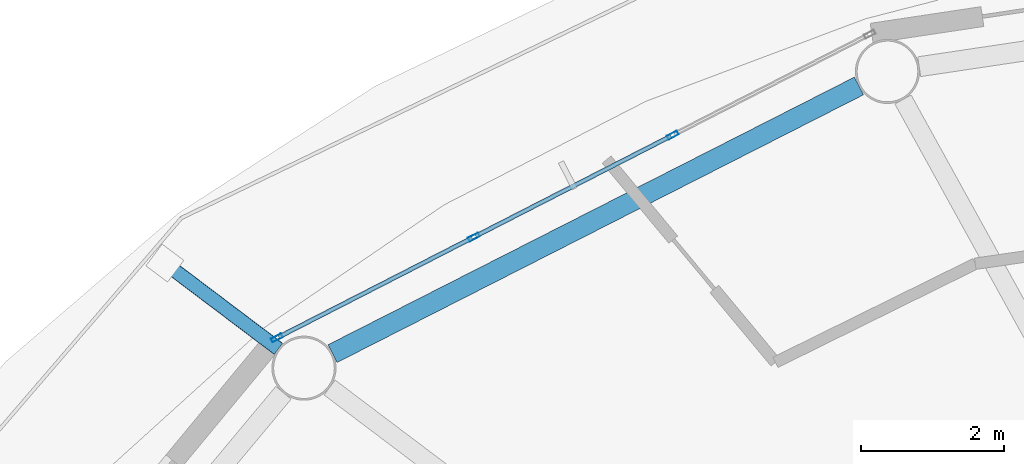
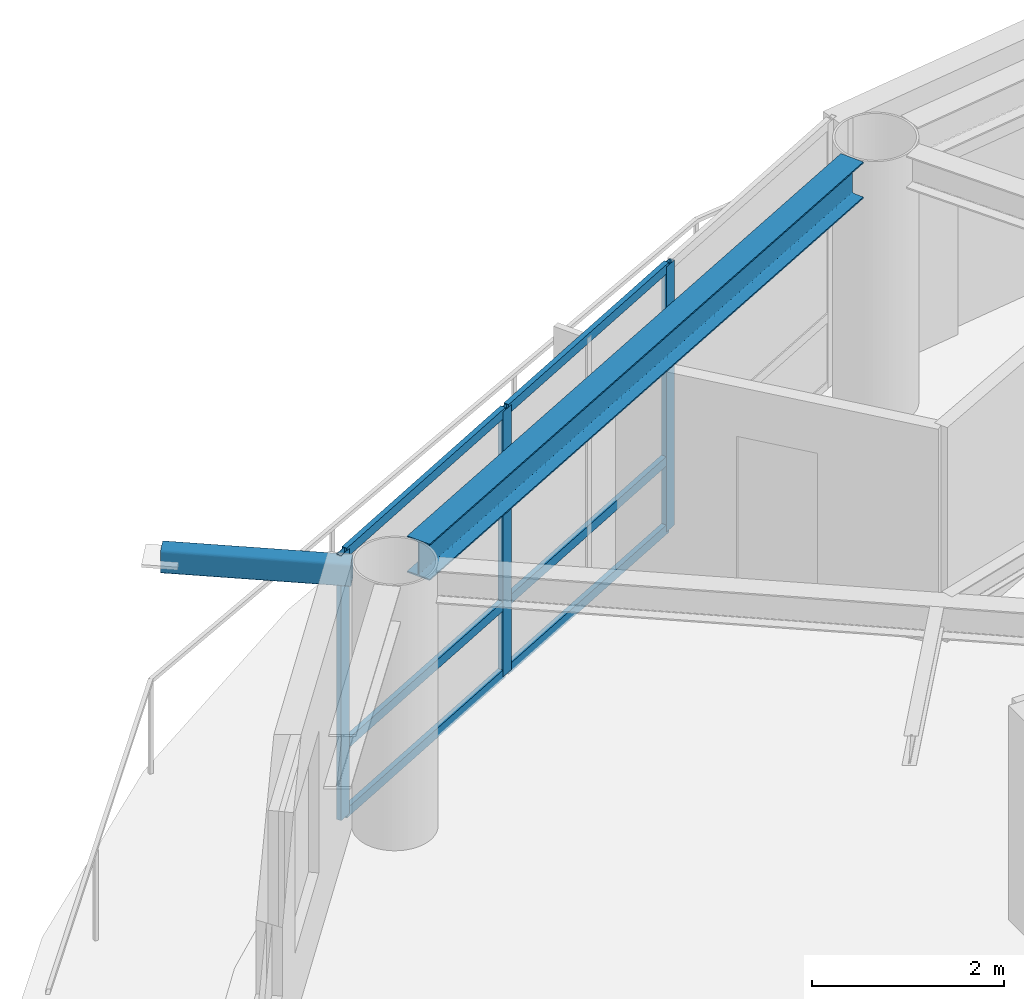
# One storey, part 8 of 22: 10 members, 1 beam, 1 element without a shape of its own.
"""IFC4 building model written with IfcOpenShell, lengths in metres."""

from ifc_helpers import new_model, si_unit, direction, frame, origin, origin_2d, place, context, subcontext, project, spatial, hollow_rectangle, i_section, extrude, material, layer, layer_set, material_profile, profile_set, type_object, element, aggregate, save


model = new_model("IFC4")

# Units and contexts
model_context = context("Model", 3, precision=1e-05, world=origin(), true_north=direction((0.0, 1.0)))
body_context = subcontext(model_context, "Body", "Model", "MODEL_VIEW")
ifc_project = project(units=[si_unit("LENGTHUNIT", "METRE"), si_unit("AREAUNIT", "SQUARE_METRE"), si_unit("VOLUMEUNIT", "CUBIC_METRE"), si_unit("PLANEANGLEUNIT", "RADIAN"), si_unit("MASSUNIT", "GRAM", prefix="KILO")], contexts=[model_context])

# Site, building, storey
site_placement = place(None, origin())
site = spatial("IfcSite", under=ifc_project, at=site_placement, CompositionType="ELEMENT")
building_placement = place(site_placement, origin())
building = spatial("IfcBuilding", under=site, at=building_placement, Name="Sarneth Arch Tower", CompositionType="ELEMENT")
storey_placement = place(building_placement, frame((0.0, 0.0, 298.199951171875)))
storey = spatial("IfcBuildingStorey", under=building, at=storey_placement, Name="L77", CompositionType="ELEMENT", Elevation=298.199951171875)

# Beam
ifc_material_1 = material(Name="Steel S355", Category="steel")
ifc_material_profile_1 = material_profile(ifc_material_1, i_section(OverallWidth=0.280029296875, OverallDepth=0.462890625, WebThickness=0.0107421875, FlangeThickness=0.017333984375, FilletRadius=0.01806640625, at=origin_2d()), Name="W460x113")
ifc_profile_set_1 = profile_set([ifc_material_profile_1], Name="Steel S355")
beam_type = type_object("IfcBeamType", Name="BM-RAD-460A", PredefinedType="BEAM", material=ifc_profile_set_1)
beam_placement = place(storey_placement, frame((37.80810546875, 59.534423828125, 3.138427734375), z_axis=(-0.891376248079, -0.453264144138, 0.0), x_axis=(0.453264144138, -0.891376248079, 0.0)))
element("IfcBeam", 1, at=beam_placement, inside=storey, type_object=beam_type, Name="L77 Perimeter spandrel beam 06", PredefinedType="BEAM", context=body_context, shape_type="SweptSolid", body=[
    extrude(i_section(OverallWidth=0.280029296875, OverallDepth=0.462890625, WebThickness=0.0107421875, FlangeThickness=0.017333984375, FilletRadius=0.01806640625, at=origin_2d()), origin(), (0.0, 0.0, 1.0), 8.281982421875),
])

# Curtain wall, members
ifc_material_2 = material(Name="Anodised aluminium Type AA25 and solar-control low-e laminated IGU", Category="aluminium")
ifc_layer = layer(ifc_material_2, 0.179931640625)
ifc_layer_set = layer_set([ifc_layer], Name="Anodised aluminium Type AA25 and solar-control low-e laminated IGU")
curtain_wall_type = type_object("IfcCurtainWallType", Name="CW-RES-HIGH", PredefinedType="NOTDEFINED", material=ifc_layer_set)
curtain_wall_placement = place(storey_placement, origin())
curtain_wall = element("IfcCurtainWall", 2, at=curtain_wall_placement, inside=storey, type_object=curtain_wall_type, Name="L77 Unitised curtain wall facet 06", PredefinedType="NOTDEFINED")
ifc_material_3 = material(Name="Anodised Aluminium 6063-T6", Category="aluminium")
ifc_material_profile_2 = material_profile(ifc_material_3, hollow_rectangle(XDim=0.06005859375, YDim=0.159912109375, WallThickness=0.00390625, at=origin_2d()), Name="AL-MULL-160x60x4")
ifc_profile_set_2 = profile_set([ifc_material_profile_2], Name="Anodised Aluminium 6063-T6")
member_type_1 = type_object("IfcMemberType", Name="CW-MULLION", PredefinedType="MULLION", material=ifc_profile_set_2)
member_1_placement = place(storey_placement, frame((35.197509765625, 58.844970703125, 0.0), z_axis=(0.0, 0.0, 1.0), x_axis=(0.455941901753, -0.890009540525, 0.0)))
member_1 = element("IfcMember", 3, at=member_1_placement, type_object=member_type_1, Name="CW-SYS-6 mullion 2", PredefinedType="MULLION", context=body_context, shape_type="SweptSolid", body=[
    extrude(hollow_rectangle(XDim=0.06005859375, YDim=0.159912109375, WallThickness=0.00390625, at=origin_2d()), origin(), (0.0, 0.0, 1.0), 3.3701171875),
])
member_2_placement = place(storey_placement, frame((32.407470703125, 57.415771484375, 0.0), z_axis=(0.0, 0.0, 1.0), x_axis=(0.455941901753, -0.890009540525, 0.0)))
member_2 = element("IfcMember", 4, at=member_2_placement, type_object=member_type_1, Name="CW-SYS-6 mullion 3", PredefinedType="MULLION", context=body_context, shape_type="SweptSolid", body=[
    extrude(hollow_rectangle(XDim=0.06005859375, YDim=0.159912109375, WallThickness=0.00390625, at=origin_2d()), origin(), (0.0, 0.0, 1.0), 3.3701171875),
])
member_3_placement = place(storey_placement, frame((29.644287109375, 56.000244140625, 0.0), z_axis=(0.0, 0.0, 1.0), x_axis=(0.455941901753, -0.890009540525, 0.0)))
member_3 = element("IfcMember", 5, at=member_3_placement, type_object=member_type_1, Name="CW-SYS-6 mullion 4", PredefinedType="MULLION", context=body_context, shape_type="SweptSolid", body=[
    extrude(hollow_rectangle(XDim=0.06005859375, YDim=0.159912109375, WallThickness=0.00390625, at=origin_2d()), origin(), (0.0, 0.0, 1.0), 3.3701171875),
])
ifc_material_4 = material(Name="Anodised Aluminium 6063-T6", Category="aluminium")
ifc_material_profile_3 = material_profile(ifc_material_4, hollow_rectangle(XDim=0.06005859375, YDim=0.1201171875, WallThickness=0.00390625, at=origin_2d()), Name="AL-TRAN-120x60x4")
ifc_profile_set_3 = profile_set([ifc_material_profile_3], Name="Anodised Aluminium 6063-T6")
member_type_2 = type_object("IfcMemberType", Name="CW-TRANSOM", PredefinedType="USERDEFINED", material=ifc_profile_set_3)
member_4_placement = place(storey_placement, frame((35.170654296875, 58.831298828125, 0.030029296875), z_axis=(-0.890017432405, -0.455926496286, 0.0), x_axis=(0.455926496286, -0.890017432405, 0.0)))
member_4 = element("IfcMember", 6, at=member_4_placement, type_object=member_type_2, Name="CW-SYS-6 transom 2.1", ObjectType="TRANSOM", PredefinedType="USERDEFINED", context=body_context, shape_type="SweptSolid", body=[
    extrude(hollow_rectangle(XDim=0.06005859375, YDim=0.1201171875, WallThickness=0.00390625, at=origin_2d()), origin(), (0.0, 0.0, 1.0), 3.07470703125),
])
member_5_placement = place(storey_placement, frame((35.170654296875, 58.831298828125, 0.900146484375), z_axis=(-0.890017432405, -0.455926496286, 0.0), x_axis=(0.455926496286, -0.890017432405, 0.0)))
member_5 = element("IfcMember", 7, at=member_5_placement, type_object=member_type_2, Name="CW-SYS-6 transom 2.2", ObjectType="TRANSOM", PredefinedType="USERDEFINED", context=body_context, shape_type="SweptSolid", body=[
    extrude(hollow_rectangle(XDim=0.06005859375, YDim=0.1201171875, WallThickness=0.00390625, at=origin_2d()), origin(), (0.0, 0.0, 1.0), 3.07470703125),
])
member_6_placement = place(storey_placement, frame((35.170654296875, 58.831298828125, 3.340087890625), z_axis=(-0.890017432405, -0.455926496286, 0.0), x_axis=(0.455926496286, -0.890017432405, 0.0)))
member_6 = element("IfcMember", 8, at=member_6_placement, type_object=member_type_2, Name="CW-SYS-6 transom 2.3", ObjectType="TRANSOM", PredefinedType="USERDEFINED", context=body_context, shape_type="SweptSolid", body=[
    extrude(hollow_rectangle(XDim=0.06005859375, YDim=0.1201171875, WallThickness=0.00390625, at=origin_2d()), origin(), (0.0, 0.0, 1.0), 3.07470703125),
])
member_7_placement = place(storey_placement, frame((32.380859375, 57.402099609375, 0.030029296875), z_axis=(-0.890022732705, -0.455916149384, 0.0), x_axis=(0.455916149384, -0.890022732705, 0.0)))
member_7 = element("IfcMember", 9, at=member_7_placement, type_object=member_type_2, Name="CW-SYS-6 transom 3.1", ObjectType="TRANSOM", PredefinedType="USERDEFINED", context=body_context, shape_type="SweptSolid", body=[
    extrude(hollow_rectangle(XDim=0.06005859375, YDim=0.1201171875, WallThickness=0.00390625, at=origin_2d()), origin(), (0.0, 0.0, 1.0), 3.044921875),
])
member_8_placement = place(storey_placement, frame((32.380859375, 57.402099609375, 0.900146484375), z_axis=(-0.890022732705, -0.455916149384, 0.0), x_axis=(0.455916149384, -0.890022732705, 0.0)))
member_8 = element("IfcMember", 10, at=member_8_placement, type_object=member_type_2, Name="CW-SYS-6 transom 3.2", ObjectType="TRANSOM", PredefinedType="USERDEFINED", context=body_context, shape_type="SweptSolid", body=[
    extrude(hollow_rectangle(XDim=0.06005859375, YDim=0.1201171875, WallThickness=0.00390625, at=origin_2d()), origin(), (0.0, 0.0, 1.0), 3.044921875),
])
member_9_placement = place(storey_placement, frame((32.380859375, 57.402099609375, 3.340087890625), z_axis=(-0.890022732705, -0.455916149384, 0.0), x_axis=(0.455916149384, -0.890022732705, 0.0)))
member_9 = element("IfcMember", 11, at=member_9_placement, type_object=member_type_2, Name="CW-SYS-6 transom 3.3", ObjectType="TRANSOM", PredefinedType="USERDEFINED", context=body_context, shape_type="SweptSolid", body=[
    extrude(hollow_rectangle(XDim=0.06005859375, YDim=0.1201171875, WallThickness=0.00390625, at=origin_2d()), origin(), (0.0, 0.0, 1.0), 3.044921875),
])
aggregate(curtain_wall, [member_1, member_2, member_3, member_4, member_5, member_6, member_7, member_8, member_9])

# Member
ifc_material_5 = material(Name="Steel S355", Category="steel")
ifc_material_profile_4 = material_profile(ifc_material_5, hollow_rectangle(XDim=0.199951171875, YDim=0.300048828125, WallThickness=0.012451171875, InnerFilletRadius=0.018798828125, OuterFilletRadius=0.03125, at=origin_2d()), Name="RHS300x200x12.5")
ifc_profile_set_4 = profile_set([ifc_material_profile_4], Name="Steel S355")
member_type_3 = type_object("IfcMemberType", Name="MEM-CANT-STRUT", PredefinedType="STRUT", material=ifc_profile_set_4)
member_10_placement = place(storey_placement, frame((29.665771484375, 55.84765625, 3.2099609375), z_axis=(-0.798013752701, 0.602639237438, 0.0), x_axis=(-0.602639237438, -0.798013752701, 0.0)))
element("IfcMember", 12, at=member_10_placement, inside=storey, type_object=member_type_3, Name="L77 Balcony cantilever bracket 07", PredefinedType="STRUT", context=body_context, shape_type="SweptSolid", body=[
    extrude(hollow_rectangle(XDim=0.199951171875, YDim=0.300048828125, WallThickness=0.012451171875, InnerFilletRadius=0.018798828125, OuterFilletRadius=0.03125, at=origin_2d()), origin(), (0.0, 0.0, 1.0), 1.99560546875),
])

save(model, "model.ifc")
